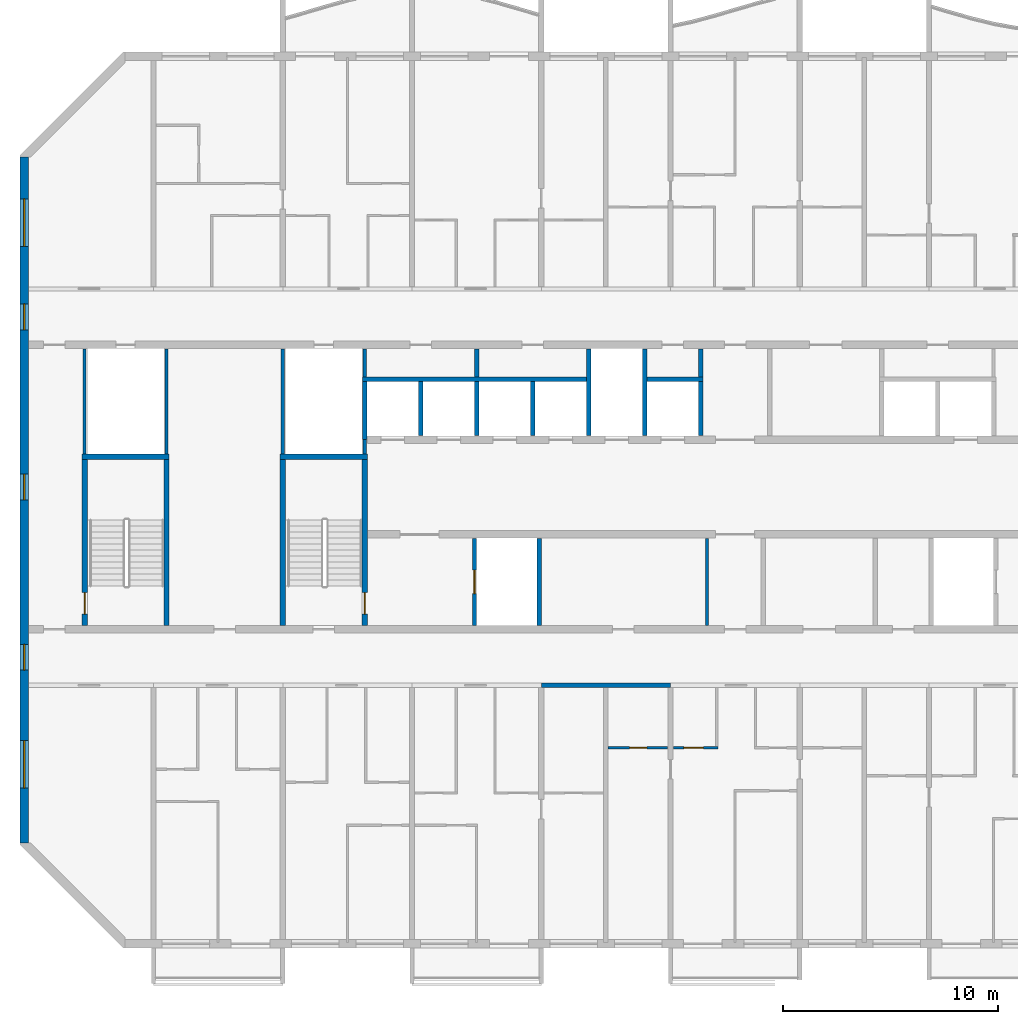
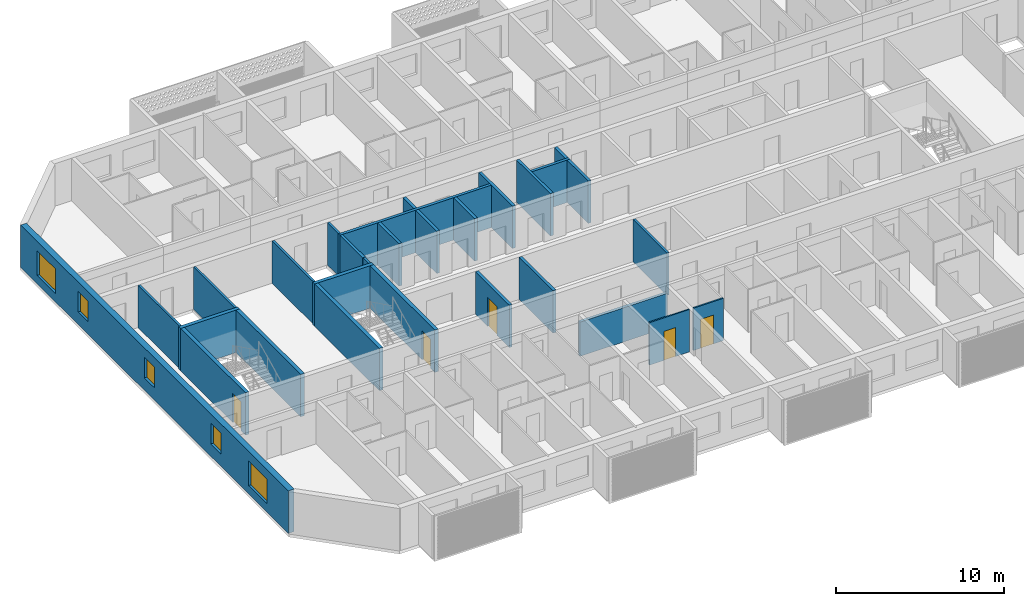
# One storey, part 3 of 26: 29 walls, 5 doors, 5 windows, 10 openings.
"""IFC4 building model written with IfcOpenShell, lengths in metres."""

from ifc_helpers import new_model, si_unit, direction, frame, frame_2d, origin, place, context, subcontext, project, spatial, rectangle, extrude, material, layer, layer_set, type_object, element, fill, save


model = new_model("IFC4")

# Units and contexts
model_context = context("Model", 3, precision=1e-05, world=origin(), true_north=direction((0.0, 1.0)))
body_context = subcontext(model_context, "Body", "Model", "MODEL_VIEW")
ifc_project = project(units=[si_unit("LENGTHUNIT", "METRE"), si_unit("AREAUNIT", "SQUARE_METRE"), si_unit("VOLUMEUNIT", "CUBIC_METRE"), si_unit("PLANEANGLEUNIT", "RADIAN"), si_unit("MASSUNIT", "GRAM", prefix="KILO")], contexts=[model_context])

# Site, building, storey
site_placement = place(None, origin())
site = spatial("IfcSite", under=ifc_project, at=site_placement, CompositionType="ELEMENT")
building_placement = place(site_placement, origin())
building = spatial("IfcBuilding", under=site, at=building_placement, Name="Poui Terraces", CompositionType="ELEMENT")
storey_placement = place(building_placement, frame((0.0, 0.0, 228.0)))
storey = spatial("IfcBuildingStorey", under=building, at=storey_placement, Name="L63", CompositionType="ELEMENT", Elevation=228.0)

# Walls
ifc_material_1 = material(Name="Fire-rated plasterboard wall")
ifc_layer_1 = layer(ifc_material_1, 0.14990234375)
ifc_layer_set_1 = layer_set([ifc_layer_1], Name="Fire-rated plasterboard wall")
wall_type_1 = type_object("IfcWallType", Name="CORRIDOR WALL 150", PredefinedType="PARTITIONING", material=ifc_layer_set_1)
wall_1_placement = place(storey_placement, frame((49.699951171875, 14.784912109375, 0.0), z_axis=(0.0, 0.0, 1.0), x_axis=(0.0, 1.0, 0.0)))
element("IfcWall", 1, at=wall_1_placement, inside=storey, type_object=wall_type_1, Name="CORRIDOR WALL 150", PredefinedType="PARTITIONING", context=body_context, shape_type="SweptSolid", body=[
    extrude(rectangle(XDim=4.030029296875, YDim=0.14990234375, at=frame_2d((2.01513671875, 0.0))), origin(), (0.0, 0.0, 1.0), 3.080078125),
])
ifc_material_2 = material(Name="Concrete 50 MPa", Category="concrete")
ifc_layer_2 = layer(ifc_material_2, 0.199951171875)
ifc_layer_set_2 = layer_set([ifc_layer_2], Name="Concrete 50 MPa")
wall_type_2 = type_object("IfcWallType", Name="CORRIDOR WALL 200 50MPa", PredefinedType="SHEAR", material=ifc_layer_set_2)
wall_2_placement = place(storey_placement, frame((42.0, 12.0, 0.0), z_axis=(0.0, 0.0, 1.0), x_axis=(1.0, 0.0, 0.0)))
element("IfcWall", 2, at=wall_2_placement, inside=storey, type_object=wall_type_2, Name="CORRIDOR WALL LINE B BAY 5", PredefinedType="SHEAR", context=body_context, shape_type="SweptSolid", body=[
    extrude(rectangle(XDim=6.0, YDim=0.199951171875, at=frame_2d((3.0, 0.0))), origin(), (0.0, 0.0, 1.0), 2.47998046875),
])

# Wall, openings, windows
ifc_layer_3 = layer(ifc_material_2, 0.39990234375)
ifc_layer_set_3 = layer_set([ifc_layer_3], Name="Concrete 50 MPa")
wall_type_3 = type_object("IfcWallType", Name="END WALL 400 50MPa", PredefinedType="SHEAR", material=ifc_layer_set_3)
wall_3_placement = place(storey_placement, frame((18.0, 4.682861328125, 0.0), z_axis=(0.0, 0.0, 1.0), x_axis=(0.0, 1.0, 0.0)))
wall_3 = element("IfcWall", 3, at=wall_3_placement, inside=storey, type_object=wall_type_3, Name="END WALL WEST", PredefinedType="SHEAR", context=body_context, shape_type="SweptSolid", body=[
    extrude(rectangle(XDim=31.834228515625, YDim=0.39990234375, at=frame_2d((15.9169921875, 0.0))), origin(), (0.0, 0.0, 1.0), 3.080078125),
])
opening_1_placement = place(wall_3_placement, frame((23.817138671875, 0.0, 0.89990234375)))
opening_1 = element("IfcOpeningElement", 4, at=opening_1_placement, cuts=wall_3, Name="Opening W2", PredefinedType="OPENING", context=body_context, shape_type="SweptSolid", body=[
    extrude(rectangle(XDim=1.199951171875, YDim=1.5, at=frame_2d((0.60009765625, 0.75))), frame((0.0, 0.2099609375, 0.0), z_axis=(0.0, -1.0, 0.0), x_axis=(1.0, 0.0, 0.0)), (0.0, 0.0, 1.0), 0.419921875),
])
opening_2_placement = place(wall_3_placement, frame((8.01708984375, 0.0, 0.89990234375)))
opening_2 = element("IfcOpeningElement", 5, at=opening_2_placement, cuts=wall_3, Name="Opening W2", PredefinedType="OPENING", context=body_context, shape_type="SweptSolid", body=[
    extrude(rectangle(XDim=1.199951171875, YDim=1.5, at=frame_2d((0.60009765625, 0.75))), frame((0.0, 0.2099609375, 0.0), z_axis=(0.0, -1.0, 0.0), x_axis=(1.0, 0.0, 0.0)), (0.0, 0.0, 1.0), 0.419921875),
])
opening_3_placement = place(wall_3_placement, frame((27.693603515625, 0.0, 0.60009765625)))
opening_3 = element("IfcOpeningElement", 6, at=opening_3_placement, cuts=wall_3, Name="Opening W3", PredefinedType="OPENING", context=body_context, shape_type="SweptSolid", body=[
    extrude(rectangle(XDim=2.199951171875, YDim=1.800048828125, at=frame_2d((1.10009765625, 0.89990234375))), frame((0.0, 0.2099609375, 0.0), z_axis=(0.0, -1.0, 0.0), x_axis=(1.0, 0.0, 0.0)), (0.0, 0.0, 1.0), 0.419921875),
])
opening_4_placement = place(wall_3_placement, frame((2.541015625, 0.0, 0.60009765625)))
opening_4 = element("IfcOpeningElement", 7, at=opening_4_placement, cuts=wall_3, Name="Opening W3", PredefinedType="OPENING", context=body_context, shape_type="SweptSolid", body=[
    extrude(rectangle(XDim=2.199951171875, YDim=1.800048828125, at=frame_2d((1.10009765625, 0.89990234375))), frame((0.0, 0.2099609375, 0.0), z_axis=(0.0, -1.0, 0.0), x_axis=(1.0, 0.0, 0.0)), (0.0, 0.0, 1.0), 0.419921875),
])
opening_5_placement = place(wall_3_placement, frame((15.917236328125, 0.0, 0.89990234375)))
opening_5 = element("IfcOpeningElement", 8, at=opening_5_placement, cuts=wall_3, Name="Opening W2", PredefinedType="OPENING", context=body_context, shape_type="SweptSolid", body=[
    extrude(rectangle(XDim=1.199951171875, YDim=1.5, at=frame_2d((0.60009765625, 0.75))), frame((0.0, 0.2099609375, 0.0), z_axis=(0.0, -1.0, 0.0), x_axis=(1.0, 0.0, 0.0)), (0.0, 0.0, 1.0), 0.419921875),
])
ifc_material_3 = material(Name="Clear glass in aluminium frame", Category="aluminium")
window_type_1 = type_object("IfcWindowType", Name="WINDOW 1200X1500", PartitioningType="SINGLE_PANEL", PredefinedType="WINDOW", material=ifc_material_3)
window_1_placement = place(opening_1_placement, origin())
window_1 = element("IfcWindow", 9, at=window_1_placement, inside=storey, type_object=window_type_1, Name="W2 WINDOW", OverallHeight=1.5, OverallWidth=1.199951171875, PartitioningType="SINGLE_PANEL", PredefinedType="WINDOW", context=body_context, shape_type="SweptSolid", body=[
    extrude(rectangle(XDim=1.199951171875, YDim=1.5, at=frame_2d((0.60009765625, 0.75))), frame((0.0, 0.030029296875, 0.0), z_axis=(0.0, -1.0, 0.0), x_axis=(1.0, 0.0, 0.0)), (0.0, 0.0, 1.0), 0.06005859375),
])
fill(opening_1, window_1)
window_2_placement = place(opening_2_placement, origin())
window_2 = element("IfcWindow", 10, at=window_2_placement, inside=storey, type_object=window_type_1, Name="W2 WINDOW", OverallHeight=1.5, OverallWidth=1.199951171875, PartitioningType="SINGLE_PANEL", PredefinedType="WINDOW", context=body_context, shape_type="SweptSolid", body=[
    extrude(rectangle(XDim=1.199951171875, YDim=1.5, at=frame_2d((0.60009765625, 0.75))), frame((0.0, 0.030029296875, 0.0), z_axis=(0.0, -1.0, 0.0), x_axis=(1.0, 0.0, 0.0)), (0.0, 0.0, 1.0), 0.06005859375),
])
fill(opening_2, window_2)
window_3_placement = place(opening_5_placement, origin())
window_3 = element("IfcWindow", 11, at=window_3_placement, inside=storey, type_object=window_type_1, Name="W2 WINDOW", OverallHeight=1.5, OverallWidth=1.199951171875, PartitioningType="SINGLE_PANEL", PredefinedType="WINDOW", context=body_context, shape_type="SweptSolid", body=[
    extrude(rectangle(XDim=1.199951171875, YDim=1.5, at=frame_2d((0.60009765625, 0.75))), frame((0.0, 0.030029296875, 0.0), z_axis=(0.0, -1.0, 0.0), x_axis=(1.0, 0.0, 0.0)), (0.0, 0.0, 1.0), 0.06005859375),
])
fill(opening_5, window_3)
window_type_2 = type_object("IfcWindowType", Name="WINDOW 2200X1800", PartitioningType="DOUBLE_PANEL_HORIZONTAL", PredefinedType="WINDOW", material=ifc_material_3)
window_4_placement = place(opening_3_placement, origin())
window_4 = element("IfcWindow", 12, at=window_4_placement, inside=storey, type_object=window_type_2, Name="W3 WINDOW", OverallHeight=1.800048828125, OverallWidth=2.199951171875, PartitioningType="DOUBLE_PANEL_HORIZONTAL", PredefinedType="WINDOW", context=body_context, shape_type="SweptSolid", body=[
    extrude(rectangle(XDim=2.199951171875, YDim=1.800048828125, at=frame_2d((1.10009765625, 0.89990234375))), frame((0.0, 0.030029296875, 0.0), z_axis=(0.0, -1.0, 0.0), x_axis=(1.0, 0.0, 0.0)), (0.0, 0.0, 1.0), 0.06005859375),
])
fill(opening_3, window_4)
window_5_placement = place(opening_4_placement, origin())
window_5 = element("IfcWindow", 13, at=window_5_placement, inside=storey, type_object=window_type_2, Name="W3 WINDOW", OverallHeight=1.800048828125, OverallWidth=2.199951171875, PartitioningType="DOUBLE_PANEL_HORIZONTAL", PredefinedType="WINDOW", context=body_context, shape_type="SweptSolid", body=[
    extrude(rectangle(XDim=2.199951171875, YDim=1.800048828125, at=frame_2d((1.10009765625, 0.89990234375))), frame((0.0, 0.030029296875, 0.0), z_axis=(0.0, -1.0, 0.0), x_axis=(1.0, 0.0, 0.0)), (0.0, 0.0, 1.0), 0.06005859375),
])
fill(opening_4, window_5)

# Wall, opening, door
ifc_material_4 = material(Name="Plasterboard partition")
ifc_layer_4 = layer(ifc_material_4, 0.10009765625)
ifc_layer_set_4 = layer_set([ifc_layer_4], Name="Plasterboard partition")
wall_type_4 = type_object("IfcWallType", Name="FLAT PARTITION 100", PredefinedType="PARTITIONING", material=ifc_layer_set_4)
wall_4_placement = place(storey_placement, frame((45.10009765625, 9.10009765625, 0.0), z_axis=(0.0, 0.0, 1.0), x_axis=(1.0, 0.0, 0.0)))
wall_4 = element("IfcWall", 14, at=wall_4_placement, inside=storey, type_object=wall_type_4, Name="FLAT PARTITION 100", PredefinedType="PARTITIONING", context=body_context, shape_type="SweptSolid", body=[
    extrude(rectangle(XDim=2.764892578125, YDim=0.10009765625, at=frame_2d((1.38232421875, 0.0))), origin(), (0.0, 0.0, 1.0), 3.080078125),
])
opening_6_placement = place(wall_4_placement, frame((1.0, 0.0, 0.0)))
opening_6 = element("IfcOpeningElement", 15, at=opening_6_placement, cuts=wall_4, Name="Opening D80", PredefinedType="OPENING", context=body_context, shape_type="SweptSolid", body=[
    extrude(rectangle(XDim=0.800048828125, YDim=2.10009765625, at=frame_2d((0.39990234375, 1.050048828125))), frame((0.0, 0.06005859375, 0.0), z_axis=(0.0, -1.0, 0.0), x_axis=(1.0, 0.0, 0.0)), (0.0, 0.0, 1.0), 0.1201171875),
])
ifc_material_5 = material(Name="Solid core timber door", Category="wood")
door_type_1 = type_object("IfcDoorType", Name="BATHROOM, LAUNDRY AND STORE DOOR 800 X 2100", OperationType="NOTDEFINED", PredefinedType="DOOR", material=ifc_material_5)
door_1_placement = place(opening_6_placement, origin())
door_1 = element("IfcDoor", 16, at=door_1_placement, inside=storey, type_object=door_type_1, Name="BATHROOM, LAUNDRY AND STORE DOOR 073", OperationType="SINGLE_SWING_LEFT", OverallHeight=2.10009765625, OverallWidth=0.800048828125, PredefinedType="DOOR", context=body_context, shape_type="SweptSolid", body=[
    extrude(rectangle(XDim=0.800048828125, YDim=2.10009765625, at=frame_2d((0.39990234375, 1.050048828125))), frame((0.0, 0.02490234375, 0.0), z_axis=(0.0, -1.0, 0.0), x_axis=(1.0, 0.0, 0.0)), (0.0, 0.0, 1.0), 0.050048828125),
])
fill(opening_6, door_1)

wall_5_placement = place(storey_placement, frame((48.135009765625, 9.10009765625, 0.0), z_axis=(0.0, 0.0, 1.0), x_axis=(1.0, 0.0, 0.0)))
wall_5 = element("IfcWall", 17, at=wall_5_placement, inside=storey, type_object=wall_type_4, Name="FLAT PARTITION 100", PredefinedType="PARTITIONING", context=body_context, shape_type="SweptSolid", body=[
    extrude(rectangle(XDim=2.06494140625, YDim=0.10009765625, at=frame_2d((1.032470703125, 0.0))), origin(), (0.0, 0.0, 1.0), 3.080078125),
])
opening_7_placement = place(wall_5_placement, frame((0.489990234375, 0.0, 0.0)))
opening_7 = element("IfcOpeningElement", 18, at=opening_7_placement, cuts=wall_5, Name="Opening D90", PredefinedType="OPENING", context=body_context, shape_type="SweptSolid", body=[
    extrude(rectangle(XDim=0.89990234375, YDim=2.10009765625, at=frame_2d((0.449951171875, 1.050048828125))), frame((0.0, 0.06005859375, 0.0), z_axis=(0.0, -1.0, 0.0), x_axis=(1.0, 0.0, 0.0)), (0.0, 0.0, 1.0), 0.1201171875),
])
door_type_2 = type_object("IfcDoorType", Name="INTERNAL DOOR 900 X 2100", OperationType="NOTDEFINED", PredefinedType="DOOR", material=ifc_material_5)
door_2_placement = place(opening_7_placement, origin())
door_2 = element("IfcDoor", 19, at=door_2_placement, inside=storey, type_object=door_type_2, Name="INTERNAL DOOR 076", OperationType="SINGLE_SWING_LEFT", OverallHeight=2.10009765625, OverallWidth=0.89990234375, PredefinedType="DOOR", context=body_context, shape_type="SweptSolid", body=[
    extrude(rectangle(XDim=0.89990234375, YDim=2.10009765625, at=frame_2d((0.449951171875, 1.050048828125))), frame((0.0, 0.02490234375, 0.0), z_axis=(0.0, -1.0, 0.0), x_axis=(1.0, 0.0, 0.0)), (0.0, 0.0, 1.0), 0.050048828125),
])
fill(opening_7, door_2)

# Walls
ifc_material_6 = material(Name="Fire-rated masonry wall", Category="masonry")
ifc_layer_5 = layer(ifc_material_6, 0.199951171875)
ifc_layer_set_5 = layer_set([ifc_layer_5], Name="Fire-rated masonry wall")
wall_type_5 = type_object("IfcWallType", Name="PLANT ROOM WALL 200", PredefinedType="PARTITIONING", material=ifc_layer_set_5)
for number, where, z_axis, x_axis, name in (
    (20, (39.0, 26.300048828125, 0.0), (0.0, 0.0, 1.0), (0.0, 1.0, 0.0), "PLANT ROOM WALL 200"),
    (21, (49.39990234375, 26.300048828125, 0.0), (0.0, 0.0, 1.0), (0.0, 1.0, 0.0), "PLANT ROOM WALL 200"),
):
    element("IfcWall", number, at=place(storey_placement, frame(where, z_axis=z_axis, x_axis=x_axis)), inside=storey, type_object=wall_type_5, Name=name, PredefinedType="PARTITIONING", context=body_context, shape_type="SweptSolid", body=[
        extrude(rectangle(XDim=1.31494140625, YDim=0.199951171875, at=frame_2d((0.657470703125, 0.0))), origin(), (0.0, 0.0, 1.0), 3.080078125),
    ])
ifc_material_7 = material(Name="Fire-rated plasterboard riser wall")
ifc_layer_6 = layer(ifc_material_7, 0.14990234375)
ifc_layer_set_6 = layer_set([ifc_layer_6], Name="Fire-rated plasterboard riser wall")
wall_type_6 = type_object("IfcWallType", Name="RISER WALL 150", PredefinedType="PARTITIONING", material=ifc_layer_set_6)
for number, where, z_axis, x_axis, name in (
    (22, (20.800048828125, 22.735107421875, 0.0), (0.0, 0.0, 1.0), (0.0, 1.0, 0.0), "RISER WALL 150"),
    (23, (24.60009765625, 22.735107421875, 0.0), (0.0, 0.0, 1.0), (0.0, 1.0, 0.0), "RISER WALL 150"),
    (24, (30.0, 22.735107421875, 0.0), (0.0, 0.0, 1.0), (0.0, 1.0, 0.0), "RISER WALL 150"),
):
    element("IfcWall", number, at=place(storey_placement, frame(where, z_axis=z_axis, x_axis=x_axis)), inside=storey, type_object=wall_type_6, Name=name, PredefinedType="PARTITIONING", context=body_context, shape_type="SweptSolid", body=[
        extrude(rectangle(XDim=4.8798828125, YDim=0.14990234375, at=frame_2d((2.43994140625, 0.0))), origin(), (0.0, 0.0, 1.0), 3.080078125),
    ])
wall_6_placement = place(storey_placement, frame((33.800048828125, 22.735107421875, 0.0), z_axis=(0.0, 0.0, 1.0), x_axis=(0.0, 1.0, 0.0)))
element("IfcWall", 25, at=wall_6_placement, inside=storey, type_object=wall_type_6, Name="RISER WALL 150", PredefinedType="PARTITIONING", context=body_context, shape_type="SweptSolid", body=[
    extrude(rectangle(XDim=0.664794921875, YDim=0.14990234375, at=frame_2d((0.33251953125, 0.0))), origin(), (0.0, 0.0, 1.0), 3.080078125),
])
wall_7_placement = place(storey_placement, frame((33.800048828125, 26.300048828125, 0.0), z_axis=(0.0, 0.0, 1.0), x_axis=(0.0, 1.0, 0.0)))
element("IfcWall", 26, at=wall_7_placement, inside=storey, type_object=wall_type_6, Name="RISER WALL 150", PredefinedType="PARTITIONING", context=body_context, shape_type="SweptSolid", body=[
    extrude(rectangle(XDim=1.31494140625, YDim=0.14990234375, at=frame_2d((0.657470703125, 0.0))), origin(), (0.0, 0.0, 1.0), 3.080078125),
])
ifc_material_8 = material(Name="Fire-rated masonry shaft wall", Category="masonry")
ifc_layer_7 = layer(ifc_material_8, 0.199951171875)
ifc_layer_set_7 = layer_set([ifc_layer_7], Name="Fire-rated masonry shaft wall")
wall_type_7 = type_object("IfcWallType", Name="SHAFT WALL 200", PredefinedType="PARTITIONING", material=ifc_layer_set_7)
wall_8_placement = place(storey_placement, frame((33.699951171875, 26.199951171875, 0.0), z_axis=(0.0, 0.0, 1.0), x_axis=(1.0, 0.0, 0.0)))
element("IfcWall", 27, at=wall_8_placement, inside=storey, type_object=wall_type_7, Name="SHAFT WALL 200", PredefinedType="PARTITIONING", context=body_context, shape_type="SweptSolid", body=[
    extrude(rectangle(XDim=10.400146484375, YDim=0.199951171875, at=frame_2d((5.2001953125, 0.0))), origin(), (0.0, 0.0, 1.0), 3.080078125),
])
wall_9_placement = place(storey_placement, frame((46.89990234375, 26.199951171875, 0.0), z_axis=(0.0, 0.0, 1.0), x_axis=(1.0, 0.0, 0.0)))
element("IfcWall", 28, at=wall_9_placement, inside=storey, type_object=wall_type_7, Name="SHAFT WALL 200", PredefinedType="PARTITIONING", context=body_context, shape_type="SweptSolid", body=[
    extrude(rectangle(XDim=2.60009765625, YDim=0.199951171875, at=frame_2d((1.300048828125, 0.0))), origin(), (0.0, 0.0, 1.0), 3.080078125),
])
wall_10_placement = place(storey_placement, frame((33.800048828125, 23.39990234375, 0.0), z_axis=(0.0, 0.0, 1.0), x_axis=(0.0, 1.0, 0.0)))
element("IfcWall", 29, at=wall_10_placement, inside=storey, type_object=wall_type_7, Name="SHAFT WALL 200", PredefinedType="PARTITIONING", context=body_context, shape_type="SweptSolid", body=[
    extrude(rectangle(XDim=2.7001953125, YDim=0.199951171875, at=frame_2d((1.35009765625, 0.0))), origin(), (0.0, 0.0, 1.0), 3.080078125),
])
wall_11_placement = place(storey_placement, frame((36.39990234375, 23.5849609375, 0.0), z_axis=(0.0, 0.0, 1.0), x_axis=(0.0, 1.0, 0.0)))
element("IfcWall", 30, at=wall_11_placement, inside=storey, type_object=wall_type_7, Name="SHAFT WALL 200", PredefinedType="PARTITIONING", context=body_context, shape_type="SweptSolid", body=[
    extrude(rectangle(XDim=2.51513671875, YDim=0.199951171875, at=frame_2d((1.257568359375, 0.0))), origin(), (0.0, 0.0, 1.0), 3.080078125),
])

# Wall, opening, door
wall_12_placement = place(storey_placement, frame((38.89990234375, 14.784912109375, 0.0), z_axis=(0.0, 0.0, 1.0), x_axis=(0.0, 1.0, 0.0)))
wall_12 = element("IfcWall", 31, at=wall_12_placement, inside=storey, type_object=wall_type_7, Name="SHAFT WALL 200", PredefinedType="PARTITIONING", context=body_context, shape_type="SweptSolid", body=[
    extrude(rectangle(XDim=4.030029296875, YDim=0.199951171875, at=frame_2d((2.01513671875, 0.0))), origin(), (0.0, 0.0, 1.0), 3.080078125),
])
opening_8_placement = place(wall_12_placement, frame((1.465087890625, 0.0, 0.0)))
opening_8 = element("IfcOpeningElement", 32, at=opening_8_placement, cuts=wall_12, Name="Opening LD", PredefinedType="OPENING", context=body_context, shape_type="SweptSolid", body=[
    extrude(rectangle(XDim=1.10009765625, YDim=2.10009765625, at=frame_2d((0.550048828125, 1.050048828125))), frame((0.0, 0.10986328125, 0.0), z_axis=(0.0, -1.0, 0.0), x_axis=(1.0, 0.0, 0.0)), (0.0, 0.0, 1.0), 0.219970703125),
])
ifc_material_9 = material(Name="Stainless steel sliding door", Category="steel")
door_type_3 = type_object("IfcDoorType", Name="LIFT LANDING DOOR 1100 X 2100", OperationType="DOUBLE_DOOR_SLIDING", PredefinedType="DOOR", material=ifc_material_9)
door_3_placement = place(opening_8_placement, origin())
door_3 = element("IfcDoor", 33, at=door_3_placement, inside=storey, type_object=door_type_3, Name="LANDING DOOR", OperationType="DOUBLE_DOOR_SLIDING", OverallHeight=2.10009765625, OverallWidth=1.10009765625, PredefinedType="DOOR", context=body_context, shape_type="SweptSolid", body=[
    extrude(rectangle(XDim=1.10009765625, YDim=2.10009765625, at=frame_2d((0.550048828125, 1.050048828125))), frame((0.0, 0.02490234375, 0.0), z_axis=(0.0, -1.0, 0.0), x_axis=(1.0, 0.0, 0.0)), (0.0, 0.0, 1.0), 0.050048828125),
])
fill(opening_8, door_3)

# Walls
for number, where, z_axis, x_axis, name in (
    (34, (39.0, 23.5849609375, 0.0), (0.0, 0.0, 1.0), (0.0, 1.0, 0.0), "SHAFT WALL 200"),
    (35, (41.60009765625, 23.5849609375, 0.0), (0.0, 0.0, 1.0), (0.0, 1.0, 0.0), "SHAFT WALL 200"),
):
    element("IfcWall", number, at=place(storey_placement, frame(where, z_axis=z_axis, x_axis=x_axis)), inside=storey, type_object=wall_type_7, Name=name, PredefinedType="PARTITIONING", context=body_context, shape_type="SweptSolid", body=[
        extrude(rectangle(XDim=2.51513671875, YDim=0.199951171875, at=frame_2d((1.257568359375, 0.0))), origin(), (0.0, 0.0, 1.0), 3.080078125),
    ])
for number, where, z_axis, x_axis, name in (
    (36, (41.89990234375, 14.784912109375, 0.0), (0.0, 0.0, 1.0), (0.0, 1.0, 0.0), "SHAFT WALL 200"),
    (37, (44.199951171875, 23.5849609375, 0.0), (0.0, 0.0, 1.0), (0.0, 1.0, 0.0), "SHAFT WALL 200"),
    (38, (46.800048828125, 23.5849609375, 0.0), (0.0, 0.0, 1.0), (0.0, 1.0, 0.0), "SHAFT WALL 200"),
):
    element("IfcWall", number, at=place(storey_placement, frame(where, z_axis=z_axis, x_axis=x_axis)), inside=storey, type_object=wall_type_7, Name=name, PredefinedType="PARTITIONING", context=body_context, shape_type="SweptSolid", body=[
        extrude(rectangle(XDim=4.030029296875, YDim=0.199951171875, at=frame_2d((2.01513671875, 0.0))), origin(), (0.0, 0.0, 1.0), 3.080078125),
    ])
wall_13_placement = place(storey_placement, frame((49.39990234375, 23.5849609375, 0.0), z_axis=(0.0, 0.0, 1.0), x_axis=(0.0, 1.0, 0.0)))
element("IfcWall", 39, at=wall_13_placement, inside=storey, type_object=wall_type_7, Name="SHAFT WALL 200", PredefinedType="PARTITIONING", context=body_context, shape_type="SweptSolid", body=[
    extrude(rectangle(XDim=2.51513671875, YDim=0.199951171875, at=frame_2d((1.257568359375, 0.0))), origin(), (0.0, 0.0, 1.0), 3.080078125),
])
ifc_layer_8 = layer(ifc_material_2, 0.25)
ifc_layer_set_8 = layer_set([ifc_layer_8], Name="Concrete 50 MPa")
wall_type_8 = type_object("IfcWallType", Name="STAIR CORE WALL 250 50 MPA", PredefinedType="SOLIDWALL", material=ifc_layer_set_8)
wall_14_placement = place(storey_placement, frame((30.0, 14.77490234375, 0.0), z_axis=(0.0, 0.0, 1.0), x_axis=(0.0, 1.0, 0.0)))
element("IfcWall", 40, at=wall_14_placement, inside=storey, type_object=wall_type_8, Name="STAIR CORE WALL", PredefinedType="SOLIDWALL", context=body_context, shape_type="SweptSolid", body=[
    extrude(rectangle(XDim=7.7001953125, YDim=0.25, at=frame_2d((3.85009765625, 0.0))), origin(), (0.0, 0.0, 1.0), 3.080078125),
])

# Wall, opening, door
wall_15_placement = place(storey_placement, frame((33.800048828125, 14.77490234375, 0.0), z_axis=(0.0, 0.0, 1.0), x_axis=(0.0, 1.0, 0.0)))
wall_15 = element("IfcWall", 41, at=wall_15_placement, inside=storey, type_object=wall_type_8, Name="STAIR CORE WALL", PredefinedType="SOLIDWALL", context=body_context, shape_type="SweptSolid", body=[
    extrude(rectangle(XDim=7.7001953125, YDim=0.25, at=frame_2d((3.85009765625, 0.0))), origin(), (0.0, 0.0, 1.0), 3.080078125),
])
opening_9_placement = place(wall_15_placement, frame((0.52490234375, 0.0, 0.0)))
opening_9 = element("IfcOpeningElement", 42, at=opening_9_placement, cuts=wall_15, Name="Opening FD60S", PredefinedType="OPENING", context=body_context, shape_type="SweptSolid", body=[
    extrude(rectangle(XDim=1.0, YDim=2.10009765625, at=frame_2d((0.5, 1.050048828125))), frame((0.0, 0.135009765625, 0.0), z_axis=(0.0, -1.0, 0.0), x_axis=(1.0, 0.0, 0.0)), (0.0, 0.0, 1.0), 0.27001953125),
])
ifc_material_10 = material(Name="Steel fire door", Category="steel")
door_type_4 = type_object("IfcDoorType", Name="STAIR DOOR 1000 X 2100", OperationType="NOTDEFINED", PredefinedType="DOOR", material=ifc_material_10)
door_4_placement = place(opening_9_placement, origin())
door_4 = element("IfcDoor", 43, at=door_4_placement, inside=storey, type_object=door_type_4, Name="STAIR DOOR 097", OperationType="SINGLE_SWING_LEFT", OverallHeight=2.10009765625, OverallWidth=1.0, PredefinedType="DOOR", context=body_context, shape_type="SweptSolid", body=[
    extrude(rectangle(XDim=1.0, YDim=2.10009765625, at=frame_2d((0.5, 1.050048828125))), frame((0.0, 0.02490234375, 0.0), z_axis=(0.0, -1.0, 0.0), x_axis=(1.0, 0.0, 0.0)), (0.0, 0.0, 1.0), 0.050048828125),
])
fill(opening_9, door_4)

# Wall
wall_16_placement = place(storey_placement, frame((29.875, 22.60009765625, 0.0), z_axis=(0.0, 0.0, 1.0), x_axis=(1.0, 0.0, 0.0)))
element("IfcWall", 44, at=wall_16_placement, inside=storey, type_object=wall_type_8, Name="STAIR CORE WALL", PredefinedType="SOLIDWALL", context=body_context, shape_type="SweptSolid", body=[
    extrude(rectangle(XDim=4.050048828125, YDim=0.25, at=frame_2d((2.02490234375, 0.0))), origin(), (0.0, 0.0, 1.0), 3.080078125),
])

# Wall, opening, door
wall_17_placement = place(storey_placement, frame((20.800048828125, 14.77490234375, 0.0), z_axis=(0.0, 0.0, 1.0), x_axis=(0.0, 1.0, 0.0)))
wall_17 = element("IfcWall", 45, at=wall_17_placement, inside=storey, type_object=wall_type_8, Name="STAIR CORE WALL", PredefinedType="SOLIDWALL", context=body_context, shape_type="SweptSolid", body=[
    extrude(rectangle(XDim=7.7001953125, YDim=0.25, at=frame_2d((3.85009765625, 0.0))), origin(), (0.0, 0.0, 1.0), 3.080078125),
])
opening_10_placement = place(wall_17_placement, frame((0.52490234375, 0.0, 0.0)))
opening_10 = element("IfcOpeningElement", 46, at=opening_10_placement, cuts=wall_17, Name="Opening FD60S", PredefinedType="OPENING", context=body_context, shape_type="SweptSolid", body=[
    extrude(rectangle(XDim=1.0, YDim=2.10009765625, at=frame_2d((0.5, 1.050048828125))), frame((0.0, 0.135009765625, 0.0), z_axis=(0.0, -1.0, 0.0), x_axis=(1.0, 0.0, 0.0)), (0.0, 0.0, 1.0), 0.27001953125),
])
door_5_placement = place(opening_10_placement, frame((1.0, 0.0, 0.0), z_axis=(0.0, 0.0, 1.0), x_axis=(-1.0, 0.0, 0.0)))
door_5 = element("IfcDoor", 47, at=door_5_placement, inside=storey, type_object=door_type_4, Name="STAIR DOOR 111", OperationType="SINGLE_SWING_RIGHT", OverallHeight=2.10009765625, OverallWidth=1.0, PredefinedType="DOOR", context=body_context, shape_type="SweptSolid", body=[
    extrude(rectangle(XDim=1.0, YDim=2.10009765625, at=frame_2d((0.5, 1.050048828125))), frame((0.0, 0.02490234375, 0.0), z_axis=(0.0, -1.0, 0.0), x_axis=(1.0, 0.0, 0.0)), (0.0, 0.0, 1.0), 0.050048828125),
])
fill(opening_10, door_5)

# Walls
wall_18_placement = place(storey_placement, frame((24.60009765625, 14.77490234375, 0.0), z_axis=(0.0, 0.0, 1.0), x_axis=(0.0, 1.0, 0.0)))
element("IfcWall", 48, at=wall_18_placement, inside=storey, type_object=wall_type_8, Name="STAIR CORE WALL", PredefinedType="SOLIDWALL", context=body_context, shape_type="SweptSolid", body=[
    extrude(rectangle(XDim=7.7001953125, YDim=0.25, at=frame_2d((3.85009765625, 0.0))), origin(), (0.0, 0.0, 1.0), 3.080078125),
])
wall_19_placement = place(storey_placement, frame((20.675048828125, 22.60009765625, 0.0), z_axis=(0.0, 0.0, 1.0), x_axis=(1.0, 0.0, 0.0)))
element("IfcWall", 49, at=wall_19_placement, inside=storey, type_object=wall_type_8, Name="STAIR CORE WALL", PredefinedType="SOLIDWALL", context=body_context, shape_type="SweptSolid", body=[
    extrude(rectangle(XDim=4.050048828125, YDim=0.25, at=frame_2d((2.02490234375, 0.0))), origin(), (0.0, 0.0, 1.0), 3.080078125),
])

save(model, "model.ifc")
